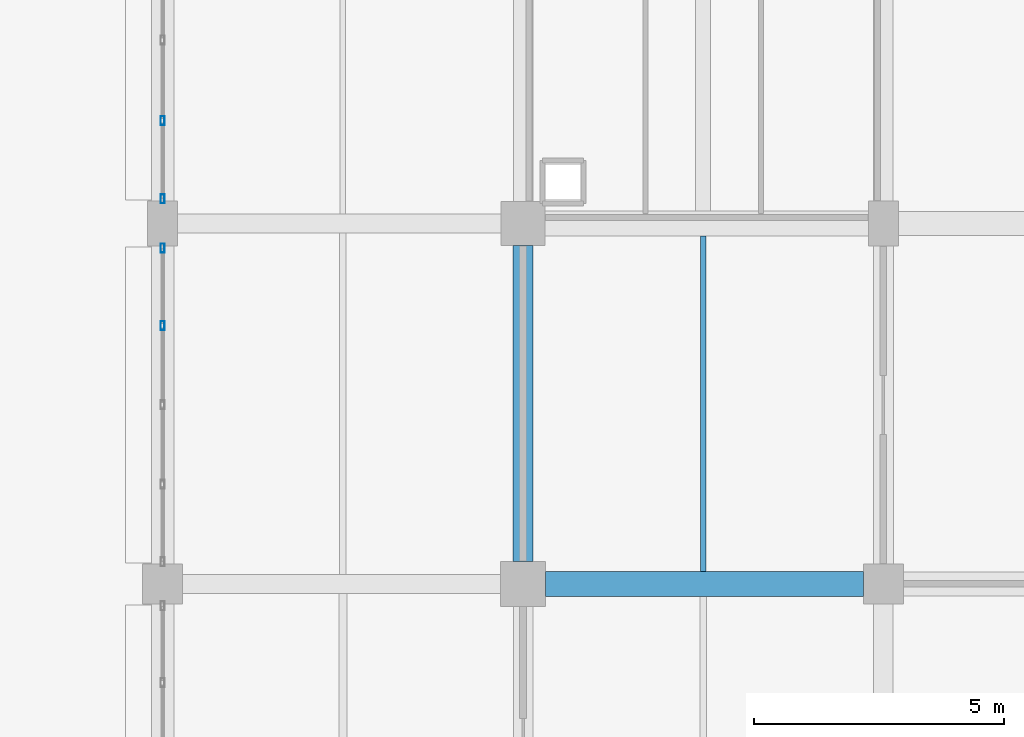
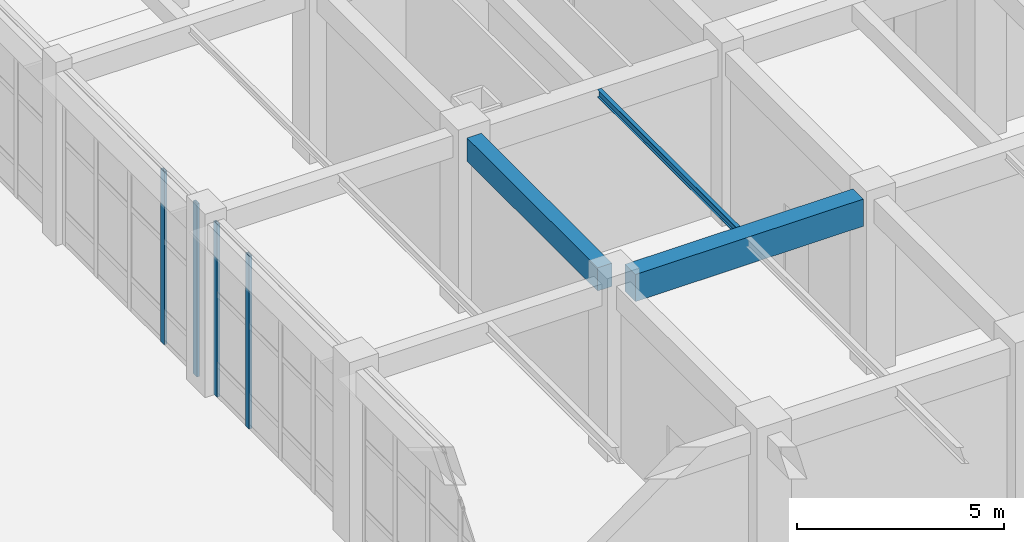
# One storey, part 96 of 160: 4 members, 3 beams, 2 elements without a shape of their own.
"""IFC4 building model written with IfcOpenShell, lengths in metres."""

import ifcopenshell
import ifcopenshell.guid

model = None  # the IFC model being written
_history = None  # IfcOwnerHistory: only IFC2X3 demands one
_inside = {}  # id of a spatial element -> (the spatial element, [elements in it])
_under = {}  # id of a project, library or spatial element -> (it, [spatial elements below it])
_declared = {}  # id of a project -> (the project, [libraries it declares])
_typed = {}  # id of a type object -> (the type object, [elements of that type])
_made_of = {}  # id of a material, layer set ... -> (it, [elements and type objects made of it])


def new_model(schema):
    """Start an empty IFC model of exactly this schema.

    Asked for "IFC4X3", IfcOpenShell would pick the latest addendum, in which some entities
    have other attributes; the version numbers below select the first issue.
    IFC2X3 requires an IfcOwnerHistory on every rooted entity: one is made here for all.
    """
    global model, _history
    if schema == "IFC4X3":
        model = ifcopenshell.file(schema_version=(4, 3, 0, 0))
    else:
        model = ifcopenshell.file(schema=schema)
    _inside.clear()
    _under.clear()
    _declared.clear()
    _typed.clear()
    _made_of.clear()
    _history = None
    if model.schema == "IFC2X3":
        org = make("IfcOrganization", Name="unknown")
        user = make(
            "IfcPersonAndOrganization",
            ThePerson=make("IfcPerson", FamilyName="unknown"),
            TheOrganization=org,
        )
        app = make(
            "IfcApplication",
            ApplicationDeveloper=org,
            Version="unknown",
            ApplicationFullName="unknown",
            ApplicationIdentifier="unknown",
        )
        _history = make(
            "IfcOwnerHistory",
            OwningUser=user,
            OwningApplication=app,
            ChangeAction="ADDED",
            CreationDate=0,
        )
    return model


def make(cls, **values):
    """One entity of the class cls with the attributes given. An attribute that is None is left unset."""
    return model.create_entity(
        cls, **{name: value for name, value in values.items() if value is not None}
    )


def rooted(cls, **values):
    """An entity with a GlobalId (a new one), such as an element, a storey or a relation."""
    return make(cls, GlobalId=ifcopenshell.guid.new(), OwnerHistory=_history, **values)


def si_unit(unit_type, name, prefix=None):
    """IfcSIUnit, for example si_unit("LENGTHUNIT", "METRE", prefix="MILLI")."""
    return make("IfcSIUnit", UnitType=unit_type, Prefix=prefix, Name=name)


def assignment(units):
    """IfcUnitAssignment: the units of a project."""
    return None if units is None else make("IfcUnitAssignment", Units=units)


def point(xyz):
    """IfcCartesianPoint."""
    return None if xyz is None else make("IfcCartesianPoint", Coordinates=xyz)


def direction(xyz):
    """IfcDirection."""
    return None if xyz is None else make("IfcDirection", DirectionRatios=xyz)


def frame(location, z_axis=None, x_axis=None):
    """IfcAxis2Placement3D, a coordinate frame: its origin and axes. An axis left out is left unset."""
    return make(
        "IfcAxis2Placement3D",
        Location=point(location),
        Axis=direction(z_axis),
        RefDirection=direction(x_axis),
    )


def frame_2d(location, x_axis=None):
    """IfcAxis2Placement2D, a coordinate frame in the plane: its origin and x axis."""
    return make(
        "IfcAxis2Placement2D", Location=point(location), RefDirection=direction(x_axis)
    )


def origin():
    """The frame at (0, 0, 0) with its axes left unset."""
    return frame((0.0, 0.0, 0.0))


def origin_2d():
    """The frame at (0, 0) in the plane with its x axis left unset."""
    return frame_2d((0.0, 0.0))


def place(relative_to, where):
    """IfcLocalPlacement: puts the frame where relative to a parent placement (None: the world)."""
    return make(
        "IfcLocalPlacement", PlacementRelTo=relative_to, RelativePlacement=where
    )


def context(
    kind, dimensions, precision=None, world=None, true_north=None, identifier=None
):
    """IfcGeometricRepresentationContext, for example the 3D "Model" context."""
    return make(
        "IfcGeometricRepresentationContext",
        ContextIdentifier=identifier,
        ContextType=kind,
        CoordinateSpaceDimension=dimensions,
        Precision=precision,
        WorldCoordinateSystem=world,
        TrueNorth=true_north,
    )


def subcontext(parent, identifier, kind, view, scale=None):
    """IfcGeometricRepresentationSubContext, for example "Body" below "Model"."""
    return make(
        "IfcGeometricRepresentationSubContext",
        ContextIdentifier=identifier,
        ContextType=kind,
        ParentContext=parent,
        TargetScale=scale,
        TargetView=view,
    )


def project(units=None, contexts=None):
    """IfcProject with its units and contexts."""
    return rooted(
        "IfcProject",
        Name="project",
        RepresentationContexts=contexts,
        UnitsInContext=assignment(units),
    )


def spatial(cls, under=None, at=None, **own):
    """A site, building, storey or space (cls), placed at a placement, below another one or the project."""
    s = rooted(cls, ObjectPlacement=at, **own)
    if under is not None:
        _under.setdefault(under.id(), (under, []))[1].append(s)
    return s


def profile(cls, at=None, kind="AREA", **sizes):
    """A parametric profile (cls). Its sizes go by their IFC names, for example OverallWidth=200.0."""
    return make(cls, ProfileType=kind, Position=at, **sizes)


def rectangle(**sizes):
    """IfcRectangleProfileDef."""
    return profile("IfcRectangleProfileDef", **sizes)


def hollow_rectangle(**sizes):
    """IfcRectangleHollowProfileDef."""
    return profile("IfcRectangleHollowProfileDef", **sizes)


def i_section(**sizes):
    """IfcIShapeProfileDef."""
    return profile("IfcIShapeProfileDef", **sizes)


def extrude(swept, where, along, depth):
    """IfcExtrudedAreaSolid: the profile swept, set in the frame where, extruded along a direction by depth."""
    return make(
        "IfcExtrudedAreaSolid",
        SweptArea=swept,
        Position=where,
        ExtrudedDirection=direction(along),
        Depth=depth,
    )


def shape(context_of_items, identifier, shape_type, items):
    """IfcShapeRepresentation: the items that make up one representation, for example the "Body"."""
    return make(
        "IfcShapeRepresentation",
        ContextOfItems=context_of_items,
        RepresentationIdentifier=identifier,
        RepresentationType=shape_type,
        Items=items,
    )


def material(Name=None, Category=None):
    """IfcMaterial."""
    return make("IfcMaterial", Name=Name, Category=Category)


def material_profile(
    of_material, cross_section, Name=None, Category=None, Priority=None
):
    """IfcMaterialProfile: a cross section and its material."""
    return make(
        "IfcMaterialProfile",
        Name=Name,
        Material=of_material,
        Profile=cross_section,
        Priority=Priority,
        Category=Category,
    )


def profile_set(profiles, Name=None, composite=None):
    """IfcMaterialProfileSet."""
    return make(
        "IfcMaterialProfileSet",
        Name=Name,
        MaterialProfiles=profiles,
        CompositeProfile=composite,
    )


def made_of(thing, what):
    """Note that an element or type object is made of a material, layer set ...; save() writes the relation."""
    if what is not None:
        _made_of.setdefault(what.id(), (what, []))[1].append(thing)
    return thing


def type_object(cls, material=None, **own):
    """A type object (cls), such as IfcWallType, which elements share."""
    return made_of(rooted(cls, **own), material)


def element(
    cls,
    number,
    at=None,
    inside=None,
    cuts=None,
    type_object=None,
    material=None,
    context=None,
    identifier="Body",
    shape_type=None,
    held_by="IfcProductDefinitionShape",
    body=None,
    shapes=None,
    **own,
):
    """One element of the class cls, such as IfcWall. Its Tag is "e" and its number.

    at: its placement. inside: the storey or other place that contains it. cuts: it is an
    opening in that element (IfcRelVoidsElement). A single representation is given by context,
    identifier, shape_type and body (its items); several are given by shapes. held_by: the class
    of the entity that holds the representations. save() writes the other relations.
    """
    e = rooted(cls, Tag="e%d" % number, ObjectPlacement=at, **own)
    if body is not None:
        shapes = [shape(context, identifier, shape_type, body)]
    if shapes is not None:
        e.Representation = make(held_by, Representations=shapes)
    if inside is not None:
        _inside.setdefault(inside.id(), (inside, []))[1].append(e)
    if cuts is not None:
        rooted(
            "IfcRelVoidsElement", RelatingBuildingElement=cuts, RelatedOpeningElement=e
        )
    if type_object is not None:
        _typed.setdefault(type_object.id(), (type_object, []))[1].append(e)
    return made_of(e, material)


def aggregate(whole, parts):
    """IfcRelAggregates: a whole, such as a stair, and the parts it consists of."""
    return rooted("IfcRelAggregates", RelatingObject=whole, RelatedObjects=parts)


def save(model, path):
    """Write the relations noted so far, then the file.

    IfcRelAggregates (storeys below a building ...), IfcRelContainedInSpatialStructure (elements
    in a storey), IfcRelDefinesByType, IfcRelAssociatesMaterial and IfcRelDeclares: one each for
    every whole, place, type object, material and project.
    """
    for whole, parts in _under.values():
        aggregate(whole, parts)
    for where, things in _inside.values():
        rooted(
            "IfcRelContainedInSpatialStructure",
            RelatedElements=things,
            RelatingStructure=where,
        )
    for kind, things in _typed.values():
        rooted("IfcRelDefinesByType", RelatedObjects=things, RelatingType=kind)
    for what, things in _made_of.values():
        rooted("IfcRelAssociatesMaterial", RelatedObjects=things, RelatingMaterial=what)
    for by, libraries in _declared.values():
        rooted("IfcRelDeclares", RelatingContext=by, RelatedDefinitions=libraries)
    model.write(path)


model = new_model("IFC4")

# Units and contexts
model_context = context("Model", 3, precision=1e-05, world=origin(), true_north=direction((0.0, 1.0)))
body_context = subcontext(model_context, "Body", "Model", "MODEL_VIEW")
ifc_project = project(units=[si_unit("LENGTHUNIT", "METRE"), si_unit("AREAUNIT", "SQUARE_METRE"), si_unit("VOLUMEUNIT", "CUBIC_METRE"), si_unit("PLANEANGLEUNIT", "RADIAN"), si_unit("MASSUNIT", "GRAM", prefix="KILO")], contexts=[model_context])

# Site, building, storey
site_placement = place(None, origin())
site = spatial("IfcSite", under=ifc_project, at=site_placement, CompositionType="ELEMENT")
building_placement = place(site_placement, origin())
building = spatial("IfcBuilding", under=site, at=building_placement, Name="Thalmaran Polytechnic", CompositionType="ELEMENT")
storey_placement = place(building_placement, origin())
storey = spatial("IfcBuildingStorey", under=building, at=storey_placement, Name="L00", CompositionType="ELEMENT", Elevation=0.0)

# Beams
ifc_material_1 = material(Name="Concrete C40/50", Category="concrete")
ifc_material_profile_1 = material_profile(ifc_material_1, rectangle(XDim=0.5, YDim=0.800048828125, at=origin_2d()), Name="RC 500x800")
ifc_profile_set_1 = profile_set([ifc_material_profile_1], Name="Concrete C40/50")
beam_type_1 = type_object("IfcBeamType", Name="BM-RC02", PredefinedType="BEAM", material=ifc_profile_set_1)
beam_1_placement = place(storey_placement, frame((137.25, 64.800048828125, 4.68994140625), z_axis=(1.0, 0.0, 0.0), x_axis=(0.0, 1.0, 0.0)))
element("IfcBeam", 1, at=beam_1_placement, inside=storey, type_object=beam_type_1, Name="Grid Beam B02 L00 X(19,9)", PredefinedType="BEAM", context=body_context, shape_type="SweptSolid", body=[
    extrude(rectangle(XDim=0.5, YDim=0.800048828125, at=origin_2d()), origin(), (0.0, 0.0, 1.0), 6.35009765625),
])
ifc_material_2 = material(Name="Steel S355", Category="steel")
ifc_material_profile_2 = material_profile(ifc_material_2, i_section(OverallWidth=0.110107421875, OverallDepth=0.219970703125, WebThickness=0.005859375, FlangeThickness=0.00927734375, at=origin_2d()), Name="IPE 220")
ifc_profile_set_2 = profile_set([ifc_material_profile_2], Name="Steel S355")
beam_type_2 = type_object("IfcBeamType", Name="BM-SJ04", PredefinedType="JOIST", material=ifc_profile_set_2)
beam_2_placement = place(storey_placement, frame((140.39990234375, 65.050048828125, 4.97998046875), z_axis=(0.0, 1.0, 0.0), x_axis=(-1.0, 0.0, 0.0)))
element("IfcBeam", 2, at=beam_2_placement, inside=storey, type_object=beam_type_2, Name="Secondary Floor Rib SJ04 L00 (19,9)", PredefinedType="JOIST", context=body_context, shape_type="SweptSolid", body=[
    extrude(i_section(OverallWidth=0.110107421875, OverallDepth=0.219970703125, WebThickness=0.005859375, FlangeThickness=0.00927734375, at=origin_2d()), origin(), (0.0, 0.0, 1.0), 6.699951171875),
])
ifc_material_profile_3 = material_profile(ifc_material_1, rectangle(XDim=0.39990234375, YDim=0.68505859375, at=origin_2d()), Name="RC 400x685")
ifc_profile_set_3 = profile_set([ifc_material_profile_3], Name="Concrete C40/50")
beam_type_3 = type_object("IfcBeamType", Name="BM-ZB07", PredefinedType="BEAM", material=ifc_profile_set_3)
beam_3_placement = place(storey_placement, frame((136.800048828125, 65.25, 4.74755859375), z_axis=(0.0, 1.0, 0.0), x_axis=(-1.0, 0.0, 0.0)))
element("IfcBeam", 3, at=beam_3_placement, inside=storey, type_object=beam_type_3, Name="Grid Beam ZB07 L00 Y(19,9)", PredefinedType="BEAM", context=body_context, shape_type="SweptSolid", body=[
    extrude(rectangle(XDim=0.39990234375, YDim=0.68505859375, at=origin_2d()), origin(), (0.0, 0.0, 1.0), 6.31005859375),
])

# Curtain wall, members
ifc_material_3 = material(Name="Aluminium 6063-T6", Category="aluminium")
curtain_wall_type = type_object("IfcCurtainWallType", Name="CW-UC01", PredefinedType="USERDEFINED", material=ifc_material_3)
curtain_wall_1_placement = place(storey_placement, origin())
curtain_wall_1 = element("IfcCurtainWall", 4, at=curtain_wall_1_placement, inside=storey, type_object=curtain_wall_type, Name="Curtain Wall CW-L00-068", ObjectType="UNITISED CURTAIN WALL", PredefinedType="USERDEFINED")
ifc_material_profile_4 = material_profile(ifc_material_3, hollow_rectangle(XDim=0.080078125, YDim=0.179931640625, WallThickness=0.0048828125, at=origin_2d()), Name="RHS 180x80x5.0")
ifc_profile_set_4 = profile_set([ifc_material_profile_4], Name="Aluminium 6063-T6")
member_type = type_object("IfcMemberType", Name="CW-MUL1", PredefinedType="MULLION", material=ifc_profile_set_4)
member_1_placement = place(storey_placement, frame((129.60009765625, 69.96240234375, 0.0), z_axis=(0.0, 0.0, 1.0), x_axis=(1.0, 0.0, 0.0)))
member_1 = element("IfcMember", 5, at=member_1_placement, type_object=member_type, Name="CW-L00-068 Mullion 4", PredefinedType="MULLION", context=body_context, shape_type="SweptSolid", body=[
    extrude(hollow_rectangle(XDim=0.080078125, YDim=0.179931640625, WallThickness=0.0048828125, at=origin_2d()), origin(), (0.0, 0.0, 1.0), 5.090087890625),
])
member_2_placement = place(storey_placement, frame((129.60009765625, 71.510009765625, 0.0), z_axis=(0.0, 0.0, 1.0), x_axis=(1.0, 0.0, 0.0)))
member_2 = element("IfcMember", 6, at=member_2_placement, type_object=member_type, Name="CW-L00-068 Mullion 5", PredefinedType="MULLION", context=body_context, shape_type="SweptSolid", body=[
    extrude(hollow_rectangle(XDim=0.080078125, YDim=0.179931640625, WallThickness=0.0048828125, at=origin_2d()), origin(), (0.0, 0.0, 1.0), 5.090087890625),
])
aggregate(curtain_wall_1, [member_1, member_2])

curtain_wall_2_placement = place(storey_placement, origin())
curtain_wall_2 = element("IfcCurtainWall", 7, at=curtain_wall_2_placement, inside=storey, type_object=curtain_wall_type, Name="Curtain Wall CW-L00-069", ObjectType="UNITISED CURTAIN WALL", PredefinedType="USERDEFINED")
member_3_placement = place(storey_placement, frame((129.60009765625, 72.489990234375, 0.0), z_axis=(0.0, 0.0, 1.0), x_axis=(1.0, 0.0, 0.0)))
member_3 = element("IfcMember", 8, at=member_3_placement, type_object=member_type, Name="CW-L00-069 Mullion 1", PredefinedType="MULLION", context=body_context, shape_type="SweptSolid", body=[
    extrude(hollow_rectangle(XDim=0.080078125, YDim=0.179931640625, WallThickness=0.0048828125, at=origin_2d()), origin(), (0.0, 0.0, 1.0), 5.090087890625),
])
member_4_placement = place(storey_placement, frame((129.60009765625, 74.05615234375, 0.0), z_axis=(0.0, 0.0, 1.0), x_axis=(1.0, 0.0, 0.0)))
member_4 = element("IfcMember", 9, at=member_4_placement, type_object=member_type, Name="CW-L00-069 Mullion 2", PredefinedType="MULLION", context=body_context, shape_type="SweptSolid", body=[
    extrude(hollow_rectangle(XDim=0.080078125, YDim=0.179931640625, WallThickness=0.0048828125, at=origin_2d()), origin(), (0.0, 0.0, 1.0), 5.090087890625),
])
aggregate(curtain_wall_2, [member_3, member_4])

save(model, "model.ifc")
